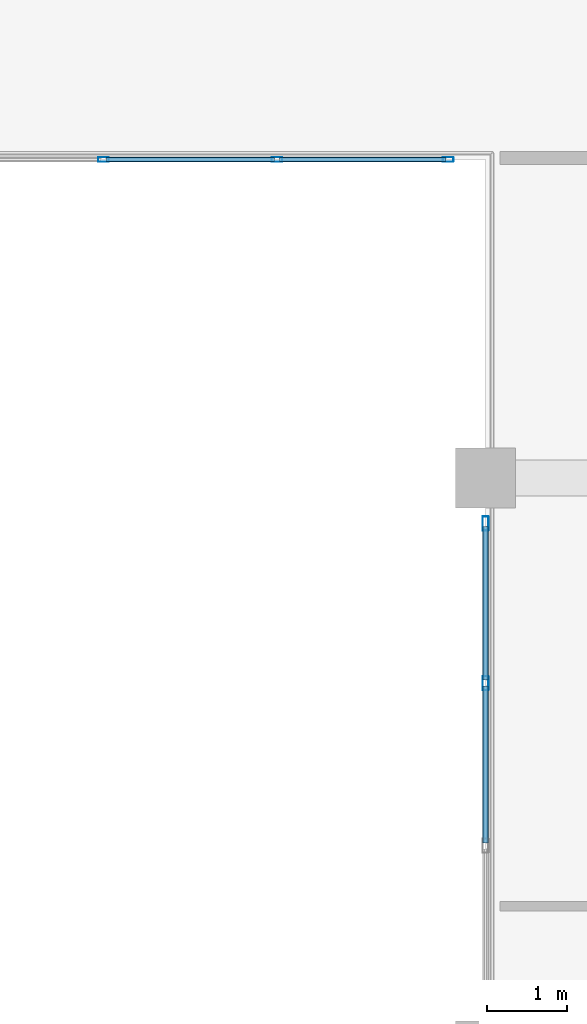
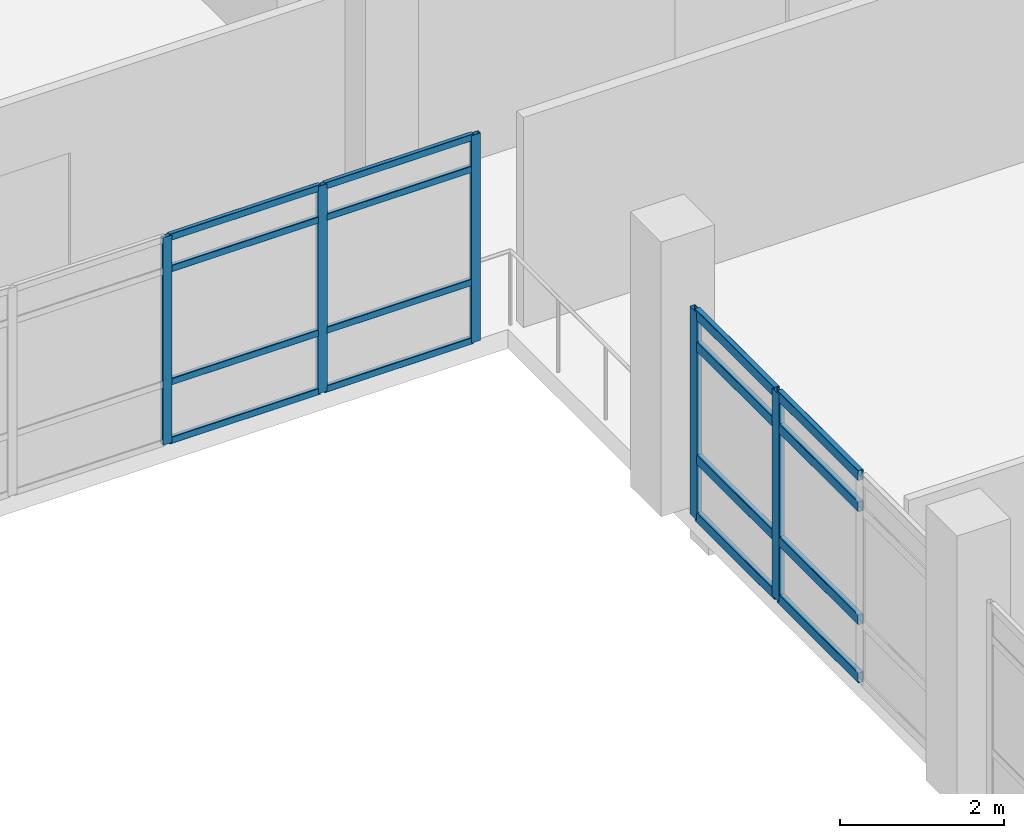
# One storey, part 91 of 180: 21 members, 2 elements without a shape of their own.
"""IFC4 building model written with IfcOpenShell, lengths in metres."""

from ifc_helpers import new_model, si_unit, direction, frame, origin, origin_2d, place, context, subcontext, project, spatial, hollow_rectangle, extrude, material, layer, layer_set, material_profile, profile_set, type_object, element, aggregate, save


model = new_model("IFC4")

# Units and contexts
model_context = context("Model", 3, precision=1e-05, world=origin(), true_north=direction((0.0, 1.0)))
body_context = subcontext(model_context, "Body", "Model", "MODEL_VIEW")
ifc_project = project(units=[si_unit("LENGTHUNIT", "METRE"), si_unit("AREAUNIT", "SQUARE_METRE"), si_unit("VOLUMEUNIT", "CUBIC_METRE"), si_unit("PLANEANGLEUNIT", "RADIAN"), si_unit("MASSUNIT", "GRAM", prefix="KILO")], contexts=[model_context])

# Site, building, storey
site_placement = place(None, origin())
site = spatial("IfcSite", under=ifc_project, at=site_placement, CompositionType="ELEMENT")
building_placement = place(site_placement, origin())
building = spatial("IfcBuilding", under=site, at=building_placement, Name="Asteropetra Specialist Clinic", CompositionType="ELEMENT")
storey_placement = place(building_placement, frame((0.0, 0.0, 4.419921875)))
storey = spatial("IfcBuildingStorey", under=building, at=storey_placement, Name="L01", CompositionType="ELEMENT", Elevation=4.419921875)

# Curtain wall, members
ifc_material_1 = material(Name="Aluminium and low-E glass", Category="aluminium")
ifc_layer_1 = layer(ifc_material_1, 0.179931640625)
ifc_layer_set_1 = layer_set([ifc_layer_1], Name="Aluminium and low-E glass")
curtain_wall_type_1 = type_object("IfcCurtainWallType", Name="CW-SYS-04", PredefinedType="USERDEFINED", material=ifc_layer_set_1)
curtain_wall_1_placement = place(storey_placement, origin())
curtain_wall_1 = element("IfcCurtainWall", 1, at=curtain_wall_1_placement, inside=storey, type_object=curtain_wall_type_1, Name="Curtain Wall CW-020", ObjectType="UNITISED CURTAIN WALL", PredefinedType="USERDEFINED")
ifc_material_2 = material(Name="Aluminium 6063-T6", Category="aluminium")
ifc_material_profile_1 = material_profile(ifc_material_2, hollow_rectangle(XDim=0.06005859375, YDim=0.135009765625, WallThickness=0.00341796875, InnerFilletRadius=0.00341796875, OuterFilletRadius=0.007080078125, at=origin_2d()), Name="MUL 135x60x3.5")
ifc_profile_set_1 = profile_set([ifc_material_profile_1], Name="Aluminium 6063-T6")
member_type_1 = type_object("IfcMemberType", Name="CWM-135x60", PredefinedType="MULLION", material=ifc_profile_set_1)
member_1_placement = place(storey_placement, frame((28.330078125, 95.199951171875, 0.0), z_axis=(0.0, 0.0, 1.0), x_axis=(0.0, -1.0, 0.0)))
member_1 = element("IfcMember", 2, at=member_1_placement, type_object=member_type_1, Name="CW-020 mullion 1", PredefinedType="MULLION", context=body_context, shape_type="SweptSolid", body=[
    extrude(hollow_rectangle(XDim=0.06005859375, YDim=0.135009765625, WallThickness=0.00341796875, InnerFilletRadius=0.00341796875, OuterFilletRadius=0.007080078125, at=origin_2d()), origin(), (0.0, 0.0, 1.0), 3.080078125),
])
member_2_placement = place(storey_placement, frame((26.179931640625, 95.199951171875, 0.0), z_axis=(0.0, 0.0, 1.0), x_axis=(0.0, -1.0, 0.0)))
member_2 = element("IfcMember", 3, at=member_2_placement, type_object=member_type_1, Name="CW-020 mullion 2", PredefinedType="MULLION", context=body_context, shape_type="SweptSolid", body=[
    extrude(hollow_rectangle(XDim=0.06005859375, YDim=0.135009765625, WallThickness=0.00341796875, InnerFilletRadius=0.00341796875, OuterFilletRadius=0.007080078125, at=origin_2d()), origin(), (0.0, 0.0, 1.0), 3.080078125),
])
member_3_placement = place(storey_placement, frame((24.0, 95.199951171875, 0.0), z_axis=(0.0, 0.0, 1.0), x_axis=(0.0, -1.0, 0.0)))
member_3 = element("IfcMember", 4, at=member_3_placement, type_object=member_type_1, Name="CW-020 mullion 3", PredefinedType="MULLION", context=body_context, shape_type="SweptSolid", body=[
    extrude(hollow_rectangle(XDim=0.06005859375, YDim=0.135009765625, WallThickness=0.00341796875, InnerFilletRadius=0.00341796875, OuterFilletRadius=0.007080078125, at=origin_2d()), origin(), (0.0, 0.0, 1.0), 3.080078125),
])

ifc_material_3 = material(Name="Aluminium and low-E glass", Category="aluminium")
ifc_layer_2 = layer(ifc_material_3, 0.135009765625)
ifc_layer_set_2 = layer_set([ifc_layer_2], Name="Aluminium and low-E glass")
curtain_wall_type_2 = type_object("IfcCurtainWallType", Name="CW-SYS-06", PredefinedType="USERDEFINED", material=ifc_layer_set_2)
curtain_wall_2_placement = place(storey_placement, origin())
curtain_wall_2 = element("IfcCurtainWall", 5, at=curtain_wall_2_placement, inside=storey, type_object=curtain_wall_type_2, Name="Curtain Wall CW-024", ObjectType="UNITISED CURTAIN WALL", PredefinedType="USERDEFINED")
ifc_material_4 = material(Name="Aluminium 6063-T6", Category="aluminium")
ifc_material_profile_2 = material_profile(ifc_material_4, hollow_rectangle(XDim=0.074951171875, YDim=0.179931640625, WallThickness=0.00390625, InnerFilletRadius=0.00390625, OuterFilletRadius=0.008056640625, at=origin_2d()), Name="MUL 180x75x4.0")
ifc_profile_set_2 = profile_set([ifc_material_profile_2], Name="Aluminium 6063-T6")
member_type_2 = type_object("IfcMemberType", Name="CWM-180x75", PredefinedType="MULLION", material=ifc_profile_set_2)
member_4_placement = place(storey_placement, frame((28.800048828125, 88.62158203125, 0.0), z_axis=(0.0, 0.0, 1.0), x_axis=(-1.0, 0.0, 0.0)))
member_4 = element("IfcMember", 6, at=member_4_placement, type_object=member_type_2, Name="CW-024 mullion 3", PredefinedType="MULLION", context=body_context, shape_type="SweptSolid", body=[
    extrude(hollow_rectangle(XDim=0.074951171875, YDim=0.179931640625, WallThickness=0.00390625, InnerFilletRadius=0.00390625, OuterFilletRadius=0.008056640625, at=origin_2d()), origin(), (0.0, 0.0, 1.0), 3.080078125),
])
member_5_placement = place(storey_placement, frame((28.800048828125, 90.62744140625, 0.0), z_axis=(0.0, 0.0, 1.0), x_axis=(-1.0, 0.0, 0.0)))
member_5 = element("IfcMember", 7, at=member_5_placement, type_object=member_type_2, Name="CW-024 mullion 4", PredefinedType="MULLION", context=body_context, shape_type="SweptSolid", body=[
    extrude(hollow_rectangle(XDim=0.074951171875, YDim=0.179931640625, WallThickness=0.00390625, InnerFilletRadius=0.00390625, OuterFilletRadius=0.008056640625, at=origin_2d()), origin(), (0.0, 0.0, 1.0), 3.080078125),
])

# Member
ifc_material_5 = material(Name="Aluminium 6063-T6", Category="aluminium")
ifc_material_profile_3 = material_profile(ifc_material_5, hollow_rectangle(XDim=0.06005859375, YDim=0.10009765625, WallThickness=0.00341796875, InnerFilletRadius=0.00341796875, OuterFilletRadius=0.007080078125, at=origin_2d()), Name="TRN 100x60x3.5")
ifc_profile_set_3 = profile_set([ifc_material_profile_3], Name="Aluminium 6063-T6")
member_type_3 = type_object("IfcMemberType", Name="CWT-100x60", PredefinedType="USERDEFINED", material=ifc_profile_set_3)
member_6_placement = place(storey_placement, frame((28.300048828125, 95.199951171875, 0.030029296875), z_axis=(-1.0, 0.0, 0.0), x_axis=(0.0, -1.0, 0.0)))
member_6 = element("IfcMember", 8, at=member_6_placement, type_object=member_type_3, Name="CW-020 transom 1.1", ObjectType="TRANSOM", PredefinedType="USERDEFINED", context=body_context, shape_type="SweptSolid", body=[
    extrude(hollow_rectangle(XDim=0.06005859375, YDim=0.10009765625, WallThickness=0.00341796875, InnerFilletRadius=0.00341796875, OuterFilletRadius=0.007080078125, at=origin_2d()), origin(), (0.0, 0.0, 1.0), 2.090087890625),
])

member_7_placement = place(storey_placement, frame((28.300048828125, 95.199951171875, 0.900146484375), z_axis=(-1.0, 0.0, 0.0), x_axis=(0.0, -1.0, 0.0)))
member_7 = element("IfcMember", 9, at=member_7_placement, type_object=member_type_3, Name="CW-020 transom 1.2", ObjectType="TRANSOM", PredefinedType="USERDEFINED", context=body_context, shape_type="SweptSolid", body=[
    extrude(hollow_rectangle(XDim=0.06005859375, YDim=0.10009765625, WallThickness=0.00341796875, InnerFilletRadius=0.00341796875, OuterFilletRadius=0.007080078125, at=origin_2d()), origin(), (0.0, 0.0, 1.0), 2.090087890625),
])

member_8_placement = place(storey_placement, frame((28.300048828125, 95.199951171875, 2.580078125), z_axis=(-1.0, 0.0, 0.0), x_axis=(0.0, -1.0, 0.0)))
member_8 = element("IfcMember", 10, at=member_8_placement, type_object=member_type_3, Name="CW-020 transom 1.3", ObjectType="TRANSOM", PredefinedType="USERDEFINED", context=body_context, shape_type="SweptSolid", body=[
    extrude(hollow_rectangle(XDim=0.06005859375, YDim=0.10009765625, WallThickness=0.00341796875, InnerFilletRadius=0.00341796875, OuterFilletRadius=0.007080078125, at=origin_2d()), origin(), (0.0, 0.0, 1.0), 2.090087890625),
])

member_9_placement = place(storey_placement, frame((28.300048828125, 95.199951171875, 3.050048828125), z_axis=(-1.0, 0.0, 0.0), x_axis=(0.0, -1.0, 0.0)))
member_9 = element("IfcMember", 11, at=member_9_placement, type_object=member_type_3, Name="CW-020 transom 1.4", ObjectType="TRANSOM", PredefinedType="USERDEFINED", context=body_context, shape_type="SweptSolid", body=[
    extrude(hollow_rectangle(XDim=0.06005859375, YDim=0.10009765625, WallThickness=0.00341796875, InnerFilletRadius=0.00341796875, OuterFilletRadius=0.007080078125, at=origin_2d()), origin(), (0.0, 0.0, 1.0), 2.090087890625),
])

member_10_placement = place(storey_placement, frame((26.14990234375, 95.199951171875, 0.030029296875), z_axis=(-1.0, 0.0, 0.0), x_axis=(0.0, -1.0, 0.0)))
member_10 = element("IfcMember", 12, at=member_10_placement, type_object=member_type_3, Name="CW-020 transom 2.1", ObjectType="TRANSOM", PredefinedType="USERDEFINED", context=body_context, shape_type="SweptSolid", body=[
    extrude(hollow_rectangle(XDim=0.06005859375, YDim=0.10009765625, WallThickness=0.00341796875, InnerFilletRadius=0.00341796875, OuterFilletRadius=0.007080078125, at=origin_2d()), origin(), (0.0, 0.0, 1.0), 2.119873046875),
])

member_11_placement = place(storey_placement, frame((26.14990234375, 95.199951171875, 0.900146484375), z_axis=(-1.0, 0.0, 0.0), x_axis=(0.0, -1.0, 0.0)))
member_11 = element("IfcMember", 13, at=member_11_placement, type_object=member_type_3, Name="CW-020 transom 2.2", ObjectType="TRANSOM", PredefinedType="USERDEFINED", context=body_context, shape_type="SweptSolid", body=[
    extrude(hollow_rectangle(XDim=0.06005859375, YDim=0.10009765625, WallThickness=0.00341796875, InnerFilletRadius=0.00341796875, OuterFilletRadius=0.007080078125, at=origin_2d()), origin(), (0.0, 0.0, 1.0), 2.119873046875),
])

member_12_placement = place(storey_placement, frame((26.14990234375, 95.199951171875, 2.580078125), z_axis=(-1.0, 0.0, 0.0), x_axis=(0.0, -1.0, 0.0)))
member_12 = element("IfcMember", 14, at=member_12_placement, type_object=member_type_3, Name="CW-020 transom 2.3", ObjectType="TRANSOM", PredefinedType="USERDEFINED", context=body_context, shape_type="SweptSolid", body=[
    extrude(hollow_rectangle(XDim=0.06005859375, YDim=0.10009765625, WallThickness=0.00341796875, InnerFilletRadius=0.00341796875, OuterFilletRadius=0.007080078125, at=origin_2d()), origin(), (0.0, 0.0, 1.0), 2.119873046875),
])

member_13_placement = place(storey_placement, frame((26.14990234375, 95.199951171875, 3.050048828125), z_axis=(-1.0, 0.0, 0.0), x_axis=(0.0, -1.0, 0.0)))
member_13 = element("IfcMember", 15, at=member_13_placement, type_object=member_type_3, Name="CW-020 transom 2.4", ObjectType="TRANSOM", PredefinedType="USERDEFINED", context=body_context, shape_type="SweptSolid", body=[
    extrude(hollow_rectangle(XDim=0.06005859375, YDim=0.10009765625, WallThickness=0.00341796875, InnerFilletRadius=0.00341796875, OuterFilletRadius=0.007080078125, at=origin_2d()), origin(), (0.0, 0.0, 1.0), 2.119873046875),
])

aggregate(curtain_wall_1, [member_1, member_2, member_3, member_6, member_7, member_8, member_9, member_10, member_11, member_12, member_13])

ifc_material_6 = material(Name="Aluminium 6063-T6", Category="aluminium")
ifc_material_profile_4 = material_profile(ifc_material_6, hollow_rectangle(XDim=0.074951171875, YDim=0.14990234375, WallThickness=0.00390625, InnerFilletRadius=0.00390625, OuterFilletRadius=0.008056640625, at=origin_2d()), Name="TRN 150x75x4.0")
ifc_profile_set_4 = profile_set([ifc_material_profile_4], Name="Aluminium 6063-T6")
member_type_4 = type_object("IfcMemberType", Name="CWT-150x75", PredefinedType="USERDEFINED", material=ifc_profile_set_4)
member_14_placement = place(storey_placement, frame((28.800048828125, 86.61572265625, 0.03759765625), z_axis=(0.0, 1.0, 0.0), x_axis=(-1.0, 0.0, 0.0)))
member_14 = element("IfcMember", 16, at=member_14_placement, type_object=member_type_4, Name="CW-024 transom 2.1", ObjectType="TRANSOM", PredefinedType="USERDEFINED", context=body_context, shape_type="SweptSolid", body=[
    extrude(hollow_rectangle(XDim=0.074951171875, YDim=0.14990234375, WallThickness=0.00390625, InnerFilletRadius=0.00390625, OuterFilletRadius=0.008056640625, at=origin_2d()), origin(), (0.0, 0.0, 1.0), 1.968505859375),
])

member_15_placement = place(storey_placement, frame((28.800048828125, 86.61572265625, 0.900146484375), z_axis=(0.0, 1.0, 0.0), x_axis=(-1.0, 0.0, 0.0)))
member_15 = element("IfcMember", 17, at=member_15_placement, type_object=member_type_4, Name="CW-024 transom 2.2", ObjectType="TRANSOM", PredefinedType="USERDEFINED", context=body_context, shape_type="SweptSolid", body=[
    extrude(hollow_rectangle(XDim=0.074951171875, YDim=0.14990234375, WallThickness=0.00390625, InnerFilletRadius=0.00390625, OuterFilletRadius=0.008056640625, at=origin_2d()), origin(), (0.0, 0.0, 1.0), 1.968505859375),
])

member_16_placement = place(storey_placement, frame((28.800048828125, 86.61572265625, 2.580078125), z_axis=(0.0, 1.0, 0.0), x_axis=(-1.0, 0.0, 0.0)))
member_16 = element("IfcMember", 18, at=member_16_placement, type_object=member_type_4, Name="CW-024 transom 2.3", ObjectType="TRANSOM", PredefinedType="USERDEFINED", context=body_context, shape_type="SweptSolid", body=[
    extrude(hollow_rectangle(XDim=0.074951171875, YDim=0.14990234375, WallThickness=0.00390625, InnerFilletRadius=0.00390625, OuterFilletRadius=0.008056640625, at=origin_2d()), origin(), (0.0, 0.0, 1.0), 1.968505859375),
])

member_17_placement = place(storey_placement, frame((28.800048828125, 86.61572265625, 3.04248046875), z_axis=(0.0, 1.0, 0.0), x_axis=(-1.0, 0.0, 0.0)))
member_17 = element("IfcMember", 19, at=member_17_placement, type_object=member_type_4, Name="CW-024 transom 2.4", ObjectType="TRANSOM", PredefinedType="USERDEFINED", context=body_context, shape_type="SweptSolid", body=[
    extrude(hollow_rectangle(XDim=0.074951171875, YDim=0.14990234375, WallThickness=0.00390625, InnerFilletRadius=0.00390625, OuterFilletRadius=0.008056640625, at=origin_2d()), origin(), (0.0, 0.0, 1.0), 1.968505859375),
])

member_18_placement = place(storey_placement, frame((28.800048828125, 88.6591796875, 0.03759765625), z_axis=(0.0, 1.0, 0.0), x_axis=(-1.0, 0.0, 0.0)))
member_18 = element("IfcMember", 20, at=member_18_placement, type_object=member_type_4, Name="CW-024 transom 3.1", ObjectType="TRANSOM", PredefinedType="USERDEFINED", context=body_context, shape_type="SweptSolid", body=[
    extrude(hollow_rectangle(XDim=0.074951171875, YDim=0.14990234375, WallThickness=0.00390625, InnerFilletRadius=0.00390625, OuterFilletRadius=0.008056640625, at=origin_2d()), origin(), (0.0, 0.0, 1.0), 1.930908203125),
])

member_19_placement = place(storey_placement, frame((28.800048828125, 88.6591796875, 0.900146484375), z_axis=(0.0, 1.0, 0.0), x_axis=(-1.0, 0.0, 0.0)))
member_19 = element("IfcMember", 21, at=member_19_placement, type_object=member_type_4, Name="CW-024 transom 3.2", ObjectType="TRANSOM", PredefinedType="USERDEFINED", context=body_context, shape_type="SweptSolid", body=[
    extrude(hollow_rectangle(XDim=0.074951171875, YDim=0.14990234375, WallThickness=0.00390625, InnerFilletRadius=0.00390625, OuterFilletRadius=0.008056640625, at=origin_2d()), origin(), (0.0, 0.0, 1.0), 1.930908203125),
])

member_20_placement = place(storey_placement, frame((28.800048828125, 88.6591796875, 2.580078125), z_axis=(0.0, 1.0, 0.0), x_axis=(-1.0, 0.0, 0.0)))
member_20 = element("IfcMember", 22, at=member_20_placement, type_object=member_type_4, Name="CW-024 transom 3.3", ObjectType="TRANSOM", PredefinedType="USERDEFINED", context=body_context, shape_type="SweptSolid", body=[
    extrude(hollow_rectangle(XDim=0.074951171875, YDim=0.14990234375, WallThickness=0.00390625, InnerFilletRadius=0.00390625, OuterFilletRadius=0.008056640625, at=origin_2d()), origin(), (0.0, 0.0, 1.0), 1.930908203125),
])

member_21_placement = place(storey_placement, frame((28.800048828125, 88.6591796875, 3.04248046875), z_axis=(0.0, 1.0, 0.0), x_axis=(-1.0, 0.0, 0.0)))
member_21 = element("IfcMember", 23, at=member_21_placement, type_object=member_type_4, Name="CW-024 transom 3.4", ObjectType="TRANSOM", PredefinedType="USERDEFINED", context=body_context, shape_type="SweptSolid", body=[
    extrude(hollow_rectangle(XDim=0.074951171875, YDim=0.14990234375, WallThickness=0.00390625, InnerFilletRadius=0.00390625, OuterFilletRadius=0.008056640625, at=origin_2d()), origin(), (0.0, 0.0, 1.0), 1.930908203125),
])

aggregate(curtain_wall_2, [member_4, member_5, member_14, member_15, member_16, member_17, member_18, member_19, member_20, member_21])

save(model, "model.ifc")
